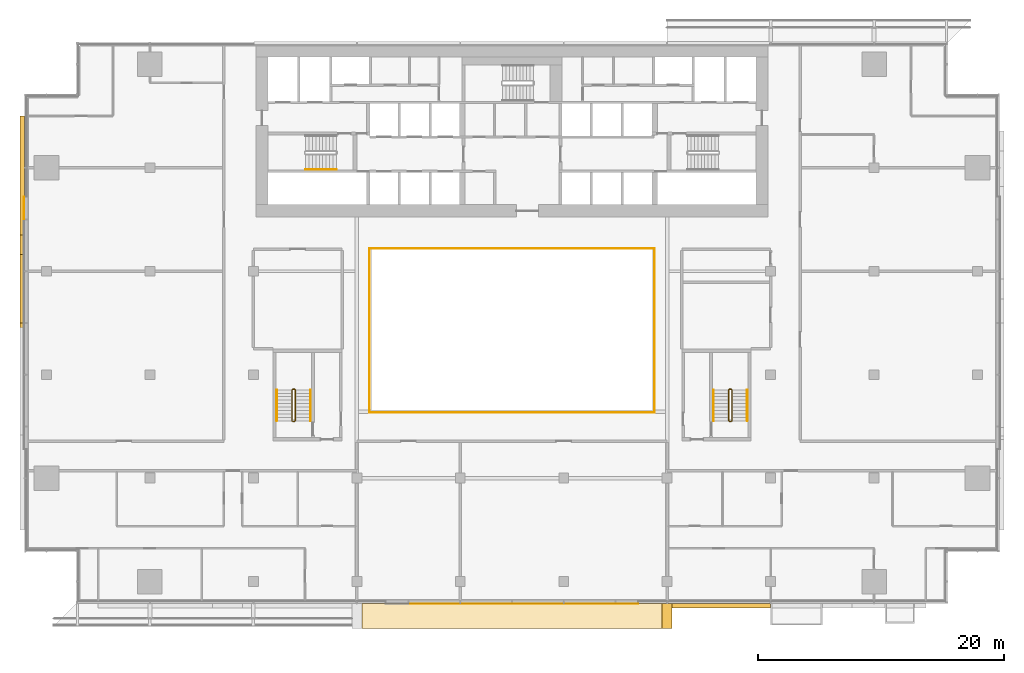
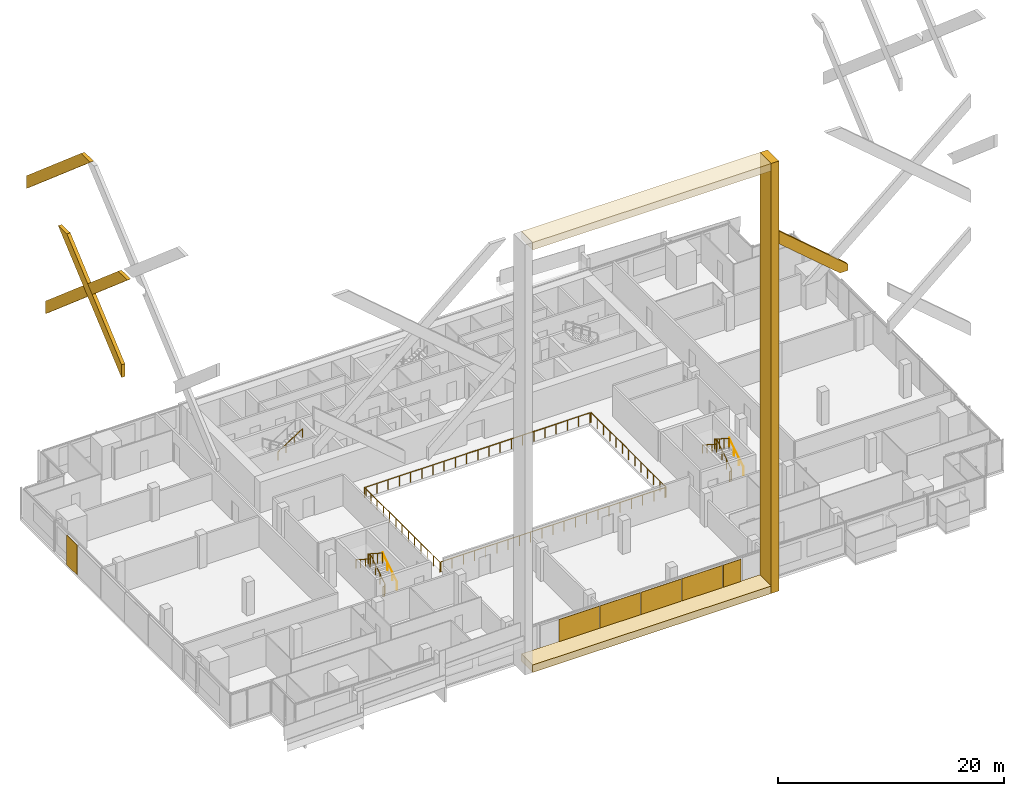
# One storey, part 27 of 30: 13 coverings, 11 railings.
"""IFC4 building model written with IfcOpenShell, lengths in metres."""

from ifc_helpers import new_model, si_unit, direction, frame, origin, origin_2d, place, context, subcontext, project, spatial, polyline, circle, outline, extrude, material, layer, layer_set, type_object, element, save


model = new_model("IFC4")

# Units and contexts
model_context = context("Model", 3, precision=1e-05, world=origin(), true_north=direction((0.0, 1.0)))
body_context = subcontext(model_context, "Body", "Model", "MODEL_VIEW")
ifc_project = project(units=[si_unit("LENGTHUNIT", "METRE"), si_unit("AREAUNIT", "SQUARE_METRE"), si_unit("VOLUMEUNIT", "CUBIC_METRE"), si_unit("PLANEANGLEUNIT", "RADIAN"), si_unit("MASSUNIT", "GRAM", prefix="KILO")], contexts=[model_context])

# Site, building, storey
site_placement = place(None, origin())
site = spatial("IfcSite", under=ifc_project, at=site_placement, CompositionType="ELEMENT")
building_placement = place(site_placement, origin())
building = spatial("IfcBuilding", under=site, at=building_placement, Name="Saffron Gate Tower", CompositionType="ELEMENT")
storey_placement = place(building_placement, frame((0.0, 0.0, 95.25)))
storey = spatial("IfcBuildingStorey", under=building, at=storey_placement, Name="L21", CompositionType="ELEMENT", Elevation=95.25)

# Railings
ifc_material_1 = material(Name="Stainless steel and laminated glass", Category="steel")
railing_type_1 = type_object("IfcRailingType", Name="AG1 Atrium edge guard 1100", PredefinedType="GUARDRAIL", material=ifc_material_1)
railing_1_placement = place(storey_placement, frame((76.02001953125, 45.5400390625, 0.0)))
element("IfcRailing", 1, at=railing_1_placement, inside=storey, type_object=railing_type_1, Name="Guard B1-1", PredefinedType="GUARDRAIL", context=body_context, shape_type="SweptSolid", body=[
    extrude(circle(Radius=0.02392578125, at=origin_2d()), frame((0.0, 0.0, 1.076171875), z_axis=(0.0, 1.0, 0.0), x_axis=(-1.0, 0.0, 0.0)), (0.0, 0.0, 1.0), 13.320068359375),
    extrude(circle(Radius=0.02099609375, at=origin_2d()), origin(), (0.0, 0.0, 1.0), 1.052001953125),
    extrude(circle(Radius=0.02099609375, at=origin_2d()), frame((0.0, 1.110107421875, 0.0)), (0.0, 0.0, 1.0), 1.052001953125),
    extrude(circle(Radius=0.02099609375, at=origin_2d()), frame((0.0, 2.219970703125, 0.0)), (0.0, 0.0, 1.0), 1.052001953125),
    extrude(circle(Radius=0.02099609375, at=origin_2d()), frame((0.0, 3.330078125, 0.0)), (0.0, 0.0, 1.0), 1.052001953125),
    extrude(circle(Radius=0.02099609375, at=origin_2d()), frame((0.0, 4.43994140625, 0.0)), (0.0, 0.0, 1.0), 1.052001953125),
    extrude(circle(Radius=0.02099609375, at=origin_2d()), frame((0.0, 5.550048828125, 0.0)), (0.0, 0.0, 1.0), 1.052001953125),
    extrude(circle(Radius=0.02099609375, at=origin_2d()), frame((0.0, 6.66015625, 0.0)), (0.0, 0.0, 1.0), 1.052001953125),
    extrude(circle(Radius=0.02099609375, at=origin_2d()), frame((0.0, 7.77001953125, 0.0)), (0.0, 0.0, 1.0), 1.052001953125),
    extrude(circle(Radius=0.02099609375, at=origin_2d()), frame((0.0, 8.880126953125, 0.0)), (0.0, 0.0, 1.0), 1.052001953125),
    extrude(circle(Radius=0.02099609375, at=origin_2d()), frame((0.0, 9.989990234375, 0.0)), (0.0, 0.0, 1.0), 1.052001953125),
    extrude(circle(Radius=0.02099609375, at=origin_2d()), frame((0.0, 11.10009765625, 0.0)), (0.0, 0.0, 1.0), 1.052001953125),
    extrude(circle(Radius=0.02099609375, at=origin_2d()), frame((0.0, 12.2099609375, 0.0)), (0.0, 0.0, 1.0), 1.052001953125),
    extrude(circle(Radius=0.02099609375, at=origin_2d()), frame((0.0, 13.320068359375, 0.0)), (0.0, 0.0, 1.0), 1.052001953125),
])
railing_2_placement = place(storey_placement, frame((76.139892578125, 58.860107421875, 0.0)))
element("IfcRailing", 2, at=railing_2_placement, inside=storey, type_object=railing_type_1, Name="Guard B1-2", PredefinedType="GUARDRAIL", context=body_context, shape_type="SweptSolid", body=[
    extrude(circle(Radius=0.02392578125, at=origin_2d()), frame((0.0, 0.0, 1.076171875), z_axis=(1.0, 0.0, 0.0), x_axis=(0.0, 1.0, 0.0)), (0.0, 0.0, 1.0), 22.920166015625),
    extrude(circle(Radius=0.02099609375, at=origin_2d()), origin(), (0.0, 0.0, 1.0), 1.052001953125),
    extrude(circle(Radius=0.02099609375, at=origin_2d()), frame((1.14599609375, 0.0, 0.0)), (0.0, 0.0, 1.0), 1.052001953125),
    extrude(circle(Radius=0.02099609375, at=origin_2d()), frame((2.2919921875, 0.0, 0.0)), (0.0, 0.0, 1.0), 1.052001953125),
    extrude(circle(Radius=0.02099609375, at=origin_2d()), frame((3.43798828125, 0.0, 0.0)), (0.0, 0.0, 1.0), 1.052001953125),
    extrude(circle(Radius=0.02099609375, at=origin_2d()), frame((4.583984375, 0.0, 0.0)), (0.0, 0.0, 1.0), 1.052001953125),
    extrude(circle(Radius=0.02099609375, at=origin_2d()), frame((5.72998046875, 0.0, 0.0)), (0.0, 0.0, 1.0), 1.052001953125),
    extrude(circle(Radius=0.02099609375, at=origin_2d()), frame((6.8759765625, 0.0, 0.0)), (0.0, 0.0, 1.0), 1.052001953125),
    extrude(circle(Radius=0.02099609375, at=origin_2d()), frame((8.02197265625, 0.0, 0.0)), (0.0, 0.0, 1.0), 1.052001953125),
    extrude(circle(Radius=0.02099609375, at=origin_2d()), frame((9.16796875, 0.0, 0.0)), (0.0, 0.0, 1.0), 1.052001953125),
    extrude(circle(Radius=0.02099609375, at=origin_2d()), frame((10.31396484375, 0.0, 0.0)), (0.0, 0.0, 1.0), 1.052001953125),
    extrude(circle(Radius=0.02099609375, at=origin_2d()), frame((11.4599609375, 0.0, 0.0)), (0.0, 0.0, 1.0), 1.052001953125),
    extrude(circle(Radius=0.02099609375, at=origin_2d()), frame((12.606201171875, 0.0, 0.0)), (0.0, 0.0, 1.0), 1.052001953125),
    extrude(circle(Radius=0.02099609375, at=origin_2d()), frame((13.752197265625, 0.0, 0.0)), (0.0, 0.0, 1.0), 1.052001953125),
    extrude(circle(Radius=0.02099609375, at=origin_2d()), frame((14.898193359375, 0.0, 0.0)), (0.0, 0.0, 1.0), 1.052001953125),
    extrude(circle(Radius=0.02099609375, at=origin_2d()), frame((16.044189453125, 0.0, 0.0)), (0.0, 0.0, 1.0), 1.052001953125),
    extrude(circle(Radius=0.02099609375, at=origin_2d()), frame((17.190185546875, 0.0, 0.0)), (0.0, 0.0, 1.0), 1.052001953125),
    extrude(circle(Radius=0.02099609375, at=origin_2d()), frame((18.336181640625, 0.0, 0.0)), (0.0, 0.0, 1.0), 1.052001953125),
    extrude(circle(Radius=0.02099609375, at=origin_2d()), frame((19.482177734375, 0.0, 0.0)), (0.0, 0.0, 1.0), 1.052001953125),
    extrude(circle(Radius=0.02099609375, at=origin_2d()), frame((20.628173828125, 0.0, 0.0)), (0.0, 0.0, 1.0), 1.052001953125),
    extrude(circle(Radius=0.02099609375, at=origin_2d()), frame((21.774169921875, 0.0, 0.0)), (0.0, 0.0, 1.0), 1.052001953125),
    extrude(circle(Radius=0.02099609375, at=origin_2d()), frame((22.920166015625, 0.0, 0.0)), (0.0, 0.0, 1.0), 1.052001953125),
])
railing_3_placement = place(storey_placement, frame((99.179931640625, 58.860107421875, 0.0)))
element("IfcRailing", 3, at=railing_3_placement, inside=storey, type_object=railing_type_1, Name="Guard B1-3", PredefinedType="GUARDRAIL", context=body_context, shape_type="SweptSolid", body=[
    extrude(circle(Radius=0.02392578125, at=origin_2d()), frame((0.0, 0.0, 1.076171875), z_axis=(0.0, -1.0, 0.0), x_axis=(1.0, 0.0, 0.0)), (0.0, 0.0, 1.0), 13.320068359375),
    extrude(circle(Radius=0.02099609375, at=origin_2d()), origin(), (0.0, 0.0, 1.0), 1.052001953125),
    extrude(circle(Radius=0.02099609375, at=origin_2d()), frame((0.0, -1.110107421875, 0.0)), (0.0, 0.0, 1.0), 1.052001953125),
    extrude(circle(Radius=0.02099609375, at=origin_2d()), frame((0.0, -2.219970703125, 0.0)), (0.0, 0.0, 1.0), 1.052001953125),
    extrude(circle(Radius=0.02099609375, at=origin_2d()), frame((0.0, -3.330078125, 0.0)), (0.0, 0.0, 1.0), 1.052001953125),
    extrude(circle(Radius=0.02099609375, at=origin_2d()), frame((0.0, -4.43994140625, 0.0)), (0.0, 0.0, 1.0), 1.052001953125),
    extrude(circle(Radius=0.02099609375, at=origin_2d()), frame((0.0, -5.550048828125, 0.0)), (0.0, 0.0, 1.0), 1.052001953125),
    extrude(circle(Radius=0.02099609375, at=origin_2d()), frame((0.0, -6.66015625, 0.0)), (0.0, 0.0, 1.0), 1.052001953125),
    extrude(circle(Radius=0.02099609375, at=origin_2d()), frame((0.0, -7.77001953125, 0.0)), (0.0, 0.0, 1.0), 1.052001953125),
    extrude(circle(Radius=0.02099609375, at=origin_2d()), frame((0.0, -8.880126953125, 0.0)), (0.0, 0.0, 1.0), 1.052001953125),
    extrude(circle(Radius=0.02099609375, at=origin_2d()), frame((0.0, -9.989990234375, 0.0)), (0.0, 0.0, 1.0), 1.052001953125),
    extrude(circle(Radius=0.02099609375, at=origin_2d()), frame((0.0, -11.10009765625, 0.0)), (0.0, 0.0, 1.0), 1.052001953125),
    extrude(circle(Radius=0.02099609375, at=origin_2d()), frame((0.0, -12.2099609375, 0.0)), (0.0, 0.0, 1.0), 1.052001953125),
    extrude(circle(Radius=0.02099609375, at=origin_2d()), frame((0.0, -13.320068359375, 0.0)), (0.0, 0.0, 1.0), 1.052001953125),
])
railing_4_placement = place(storey_placement, frame((99.06005859375, 45.5400390625, 0.0)))
element("IfcRailing", 4, at=railing_4_placement, inside=storey, type_object=railing_type_1, Name="Guard B1-4", PredefinedType="GUARDRAIL", context=body_context, shape_type="SweptSolid", body=[
    extrude(circle(Radius=0.02392578125, at=origin_2d()), frame((0.0, 0.0, 1.076171875), z_axis=(-1.0, 0.0, 0.0), x_axis=(0.0, -1.0, 0.0)), (0.0, 0.0, 1.0), 22.920166015625),
    extrude(circle(Radius=0.02099609375, at=origin_2d()), origin(), (0.0, 0.0, 1.0), 1.052001953125),
    extrude(circle(Radius=0.02099609375, at=origin_2d()), frame((-1.14599609375, 0.0, 0.0)), (0.0, 0.0, 1.0), 1.052001953125),
    extrude(circle(Radius=0.02099609375, at=origin_2d()), frame((-2.2919921875, 0.0, 0.0)), (0.0, 0.0, 1.0), 1.052001953125),
    extrude(circle(Radius=0.02099609375, at=origin_2d()), frame((-3.43798828125, 0.0, 0.0)), (0.0, 0.0, 1.0), 1.052001953125),
    extrude(circle(Radius=0.02099609375, at=origin_2d()), frame((-4.583984375, 0.0, 0.0)), (0.0, 0.0, 1.0), 1.052001953125),
    extrude(circle(Radius=0.02099609375, at=origin_2d()), frame((-5.72998046875, 0.0, 0.0)), (0.0, 0.0, 1.0), 1.052001953125),
    extrude(circle(Radius=0.02099609375, at=origin_2d()), frame((-6.8759765625, 0.0, 0.0)), (0.0, 0.0, 1.0), 1.052001953125),
    extrude(circle(Radius=0.02099609375, at=origin_2d()), frame((-8.02197265625, 0.0, 0.0)), (0.0, 0.0, 1.0), 1.052001953125),
    extrude(circle(Radius=0.02099609375, at=origin_2d()), frame((-9.16796875, 0.0, 0.0)), (0.0, 0.0, 1.0), 1.052001953125),
    extrude(circle(Radius=0.02099609375, at=origin_2d()), frame((-10.31396484375, 0.0, 0.0)), (0.0, 0.0, 1.0), 1.052001953125),
    extrude(circle(Radius=0.02099609375, at=origin_2d()), frame((-11.4599609375, 0.0, 0.0)), (0.0, 0.0, 1.0), 1.052001953125),
    extrude(circle(Radius=0.02099609375, at=origin_2d()), frame((-12.606201171875, 0.0, 0.0)), (0.0, 0.0, 1.0), 1.052001953125),
    extrude(circle(Radius=0.02099609375, at=origin_2d()), frame((-13.752197265625, 0.0, 0.0)), (0.0, 0.0, 1.0), 1.052001953125),
    extrude(circle(Radius=0.02099609375, at=origin_2d()), frame((-14.898193359375, 0.0, 0.0)), (0.0, 0.0, 1.0), 1.052001953125),
    extrude(circle(Radius=0.02099609375, at=origin_2d()), frame((-16.044189453125, 0.0, 0.0)), (0.0, 0.0, 1.0), 1.052001953125),
    extrude(circle(Radius=0.02099609375, at=origin_2d()), frame((-17.190185546875, 0.0, 0.0)), (0.0, 0.0, 1.0), 1.052001953125),
    extrude(circle(Radius=0.02099609375, at=origin_2d()), frame((-18.336181640625, 0.0, 0.0)), (0.0, 0.0, 1.0), 1.052001953125),
    extrude(circle(Radius=0.02099609375, at=origin_2d()), frame((-19.482177734375, 0.0, 0.0)), (0.0, 0.0, 1.0), 1.052001953125),
    extrude(circle(Radius=0.02099609375, at=origin_2d()), frame((-20.628173828125, 0.0, 0.0)), (0.0, 0.0, 1.0), 1.052001953125),
    extrude(circle(Radius=0.02099609375, at=origin_2d()), frame((-21.774169921875, 0.0, 0.0)), (0.0, 0.0, 1.0), 1.052001953125),
    extrude(circle(Radius=0.02099609375, at=origin_2d()), frame((-22.920166015625, 0.0, 0.0)), (0.0, 0.0, 1.0), 1.052001953125),
])

# Coverings
ifc_material_2 = material(Name="Ceramic-printed bronze insulated panel")
ifc_layer_1 = layer(ifc_material_2, 0.0400390625)
ifc_layer_set_1 = layer_set([ifc_layer_1], Name="CLDA ceramic-printed bay cladding 40")
covering_type_1 = type_object("IfcCoveringType", Name="CLDA ceramic-printed bay cladding 40", PredefinedType="CLADDING", material=ifc_layer_set_1)
covering_1_placement = place(storey_placement, origin())
element("IfcCovering", 5, at=covering_1_placement, inside=storey, type_object=covering_type_1, Name="CLADDING bay panel in front of the arch", PredefinedType="CLADDING", context=body_context, shape_type="SweptSolid", body=[
    extrude(outline(polyline([(79.22998046875, 29.9599609375), (83.3701171875, 29.9599609375), (83.3701171875, 30.0), (79.22998046875, 30.0), (79.22998046875, 29.9599609375)])), origin(), (0.0, 0.0, 1.0), 3.199951171875),
])
covering_2_placement = place(storey_placement, origin())
element("IfcCovering", 6, at=covering_2_placement, inside=storey, type_object=covering_type_1, Name="CLADDING bay panel in front of the arch", PredefinedType="CLADDING", context=body_context, shape_type="SweptSolid", body=[
    extrude(outline(polyline([(83.429931640625, 29.9599609375), (87.570068359375, 29.9599609375), (87.570068359375, 30.0), (83.429931640625, 30.0), (83.429931640625, 29.9599609375)])), origin(), (0.0, 0.0, 1.0), 3.199951171875),
])
covering_3_placement = place(storey_placement, origin())
element("IfcCovering", 7, at=covering_3_placement, inside=storey, type_object=covering_type_1, Name="CLADDING bay panel in front of the arch", PredefinedType="CLADDING", context=body_context, shape_type="SweptSolid", body=[
    extrude(outline(polyline([(87.6298828125, 29.9599609375), (91.77001953125, 29.9599609375), (91.77001953125, 30.0), (87.6298828125, 30.0), (87.6298828125, 29.9599609375)])), origin(), (0.0, 0.0, 1.0), 3.199951171875),
])
covering_4_placement = place(storey_placement, origin())
element("IfcCovering", 8, at=covering_4_placement, inside=storey, type_object=covering_type_1, Name="CLADDING bay panel in front of the arch", PredefinedType="CLADDING", context=body_context, shape_type="SweptSolid", body=[
    extrude(outline(polyline([(91.830078125, 29.9599609375), (95.969970703125, 29.9599609375), (95.969970703125, 30.0), (91.830078125, 30.0), (91.830078125, 29.9599609375)])), origin(), (0.0, 0.0, 1.0), 3.199951171875),
])
covering_5_placement = place(storey_placement, origin())
element("IfcCovering", 9, at=covering_5_placement, inside=storey, type_object=covering_type_1, Name="CLADDING bay panel in front of the arch", PredefinedType="CLADDING", context=body_context, shape_type="SweptSolid", body=[
    extrude(outline(polyline([(96.030029296875, 29.9599609375), (97.84912109375, 29.9599609375), (97.84912109375, 30.0), (96.030029296875, 30.0), (96.030029296875, 29.9599609375)])), origin(), (0.0, 0.0, 1.0), 3.199951171875),
])
covering_6_placement = place(storey_placement, origin())
element("IfcCovering", 10, at=covering_6_placement, inside=storey, type_object=covering_type_1, Name="CLADDING bay panel in front of the arch", PredefinedType="CLADDING", context=body_context, shape_type="SweptSolid", body=[
    extrude(outline(polyline([(47.9599609375, 63.04931640625), (47.9599609375, 61.22998046875), (48.0, 61.22998046875), (48.0, 63.04931640625), (47.9599609375, 63.04931640625)])), origin(), (0.0, 0.0, 1.0), 3.199951171875),
])

# Railings
railing_type_2 = type_object("IfcRailingType", Name="CR1 Stair guard 1100", PredefinedType="GUARDRAIL", material=ifc_material_1)
railing_5_placement = place(storey_placement, frame((69.800048828125, 44.800048828125, 0.0)))
element("IfcRailing", 11, at=railing_5_placement, inside=storey, type_object=railing_type_2, Name="L21 ST-D stair guard 1", PredefinedType="GUARDRAIL", context=body_context, shape_type="SweptSolid", body=[
    extrude(circle(Radius=0.02392578125, at=origin_2d()), frame((0.0, 0.0, 1.076171875), z_axis=(1.0, 0.0, 0.0), x_axis=(0.0, 1.0, 0.0)), (0.0, 0.0, 1.0), 0.14990234375),
    extrude(circle(Radius=0.02392578125, at=origin_2d()), frame((0.14990234375, 0.0, 1.076171875), z_axis=(0.258847668887, 0.258847668887, 0.930588936439), x_axis=(-0.707106781187, 0.707106781187, 0.0)), (0.0, 0.0, 1.0), 0.193359375),
    extrude(circle(Radius=0.02392578125, at=origin_2d()), frame((0.199951171875, 0.050048828125, 1.255859375), z_axis=(0.0, 0.841162588446, 0.540782303519), x_axis=(-1.0, 0.0, 0.0)), (0.0, 0.0, 1.0), 2.995849609375),
    extrude(circle(Radius=0.02392578125, at=origin_2d()), frame((0.199951171875, 2.570068359375, 2.8759765625), z_axis=(-0.708833529934, 0.705375805398, 0.0), x_axis=(-0.705375805398, -0.708833529934, 0.0)), (0.0, 0.0, 1.0), 0.070556640625),
    extrude(circle(Radius=0.02392578125, at=origin_2d()), frame((0.14990234375, 2.619873046875, 2.8759765625), z_axis=(-1.0, 0.0, 0.0), x_axis=(0.0, -1.0, 0.0)), (0.0, 0.0, 1.0), 0.14990234375),
    extrude(circle(Radius=0.02392578125, at=origin_2d()), frame((0.0, 2.619873046875, 2.8759765625), z_axis=(-0.258932105505, -0.257669022063, 0.930892496375), x_axis=(0.705375805398, -0.708833529934, 0.0)), (0.0, 0.0, 1.0), 0.193359375),
    extrude(circle(Radius=0.02392578125, at=origin_2d()), frame((-0.050048828125, 2.570068359375, 3.05615234375), z_axis=(0.0, -0.841162588446, 0.540782303519), x_axis=(1.0, 0.0, 0.0)), (0.0, 0.0, 1.0), 2.995849609375),
    extrude(circle(Radius=0.02099609375, at=origin_2d()), origin(), (0.0, 0.0, 1.0), 1.052001953125),
    extrude(circle(Radius=0.02099609375, at=origin_2d()), frame((0.14990234375, 0.0, 0.0)), (0.0, 0.0, 1.0), 1.052001953125),
    extrude(circle(Radius=0.02099609375, at=origin_2d()), frame((0.199951171875, 0.050048828125, 0.179931640625)), (0.0, 0.0, 1.0), 1.052001953125),
    extrude(circle(Radius=0.02099609375, at=origin_2d()), frame((0.199951171875, 0.89013671875, 0.719970703125)), (0.0, 0.0, 1.0), 1.052001953125),
    extrude(circle(Radius=0.02099609375, at=origin_2d()), frame((0.199951171875, 1.72998046875, 1.260009765625)), (0.0, 0.0, 1.0), 1.052001953125),
    extrude(circle(Radius=0.02099609375, at=origin_2d()), frame((0.199951171875, 2.570068359375, 1.800048828125)), (0.0, 0.0, 1.0), 1.052001953125),
    extrude(circle(Radius=0.02099609375, at=origin_2d()), frame((0.14990234375, 2.619873046875, 1.800048828125)), (0.0, 0.0, 1.0), 1.052001953125),
    extrude(circle(Radius=0.02099609375, at=origin_2d()), frame((0.0, 2.619873046875, 1.800048828125)), (0.0, 0.0, 1.0), 1.052001953125),
    extrude(circle(Radius=0.02099609375, at=origin_2d()), frame((-0.050048828125, 2.570068359375, 1.97998046875)), (0.0, 0.0, 1.0), 1.052001953125),
    extrude(circle(Radius=0.02099609375, at=origin_2d()), frame((-0.050048828125, 1.72998046875, 2.52001953125)), (0.0, 0.0, 1.0), 1.052001953125),
    extrude(circle(Radius=0.02099609375, at=origin_2d()), frame((-0.050048828125, 0.89013671875, 3.06005859375)), (0.0, 0.0, 1.0), 1.052001953125),
    extrude(circle(Radius=0.02099609375, at=origin_2d()), frame((-0.050048828125, 0.050048828125, 3.60009765625)), (0.0, 0.0, 1.0), 1.052001953125),
])
railing_6_placement = place(storey_placement, frame((105.25, 44.800048828125, 0.0)))
element("IfcRailing", 12, at=railing_6_placement, inside=storey, type_object=railing_type_2, Name="L21 ST-E stair guard 1", PredefinedType="GUARDRAIL", context=body_context, shape_type="SweptSolid", body=[
    extrude(circle(Radius=0.02392578125, at=origin_2d()), frame((0.0, 0.0, 1.076171875), z_axis=(1.0, 0.0, 0.0), x_axis=(0.0, 1.0, 0.0)), (0.0, 0.0, 1.0), 0.14990234375),
    extrude(circle(Radius=0.02392578125, at=origin_2d()), frame((0.14990234375, 0.0, 1.076171875), z_axis=(0.258847668887, 0.258847668887, 0.930588936439), x_axis=(-0.707106781187, 0.707106781187, 0.0)), (0.0, 0.0, 1.0), 0.193359375),
    extrude(circle(Radius=0.02392578125, at=origin_2d()), frame((0.199951171875, 0.050048828125, 1.255859375), z_axis=(0.0, 0.841162588446, 0.540782303519), x_axis=(-1.0, 0.0, 0.0)), (0.0, 0.0, 1.0), 2.995849609375),
    extrude(circle(Radius=0.02392578125, at=origin_2d()), frame((0.199951171875, 2.570068359375, 2.8759765625), z_axis=(-0.708833529934, 0.705375805398, 0.0), x_axis=(-0.705375805398, -0.708833529934, 0.0)), (0.0, 0.0, 1.0), 0.070556640625),
    extrude(circle(Radius=0.02392578125, at=origin_2d()), frame((0.14990234375, 2.619873046875, 2.8759765625), z_axis=(-1.0, 0.0, 0.0), x_axis=(0.0, -1.0, 0.0)), (0.0, 0.0, 1.0), 0.14990234375),
    extrude(circle(Radius=0.02392578125, at=origin_2d()), frame((0.0, 2.619873046875, 2.8759765625), z_axis=(-0.258932105505, -0.257669022063, 0.930892496375), x_axis=(0.705375805398, -0.708833529934, 0.0)), (0.0, 0.0, 1.0), 0.193359375),
    extrude(circle(Radius=0.02392578125, at=origin_2d()), frame((-0.050048828125, 2.570068359375, 3.05615234375), z_axis=(0.0, -0.841162588446, 0.540782303519), x_axis=(1.0, 0.0, 0.0)), (0.0, 0.0, 1.0), 2.995849609375),
    extrude(circle(Radius=0.02099609375, at=origin_2d()), origin(), (0.0, 0.0, 1.0), 1.052001953125),
    extrude(circle(Radius=0.02099609375, at=origin_2d()), frame((0.14990234375, 0.0, 0.0)), (0.0, 0.0, 1.0), 1.052001953125),
    extrude(circle(Radius=0.02099609375, at=origin_2d()), frame((0.199951171875, 0.050048828125, 0.179931640625)), (0.0, 0.0, 1.0), 1.052001953125),
    extrude(circle(Radius=0.02099609375, at=origin_2d()), frame((0.199951171875, 0.89013671875, 0.719970703125)), (0.0, 0.0, 1.0), 1.052001953125),
    extrude(circle(Radius=0.02099609375, at=origin_2d()), frame((0.199951171875, 1.72998046875, 1.260009765625)), (0.0, 0.0, 1.0), 1.052001953125),
    extrude(circle(Radius=0.02099609375, at=origin_2d()), frame((0.199951171875, 2.570068359375, 1.800048828125)), (0.0, 0.0, 1.0), 1.052001953125),
    extrude(circle(Radius=0.02099609375, at=origin_2d()), frame((0.14990234375, 2.619873046875, 1.800048828125)), (0.0, 0.0, 1.0), 1.052001953125),
    extrude(circle(Radius=0.02099609375, at=origin_2d()), frame((0.0, 2.619873046875, 1.800048828125)), (0.0, 0.0, 1.0), 1.052001953125),
    extrude(circle(Radius=0.02099609375, at=origin_2d()), frame((-0.050048828125, 2.570068359375, 1.97998046875)), (0.0, 0.0, 1.0), 1.052001953125),
    extrude(circle(Radius=0.02099609375, at=origin_2d()), frame((-0.050048828125, 1.72998046875, 2.52001953125)), (0.0, 0.0, 1.0), 1.052001953125),
    extrude(circle(Radius=0.02099609375, at=origin_2d()), frame((-0.050048828125, 0.89013671875, 3.06005859375)), (0.0, 0.0, 1.0), 1.052001953125),
    extrude(circle(Radius=0.02099609375, at=origin_2d()), frame((-0.050048828125, 0.050048828125, 3.60009765625)), (0.0, 0.0, 1.0), 1.052001953125),
])
ifc_material_3 = material(Name="Stainless steel", Category="steel")
railing_type_3 = type_object("IfcRailingType", Name="CR2 Stair handrail 900", PredefinedType="HANDRAIL", material=ifc_material_3)
railing_7_placement = place(storey_placement, frame((70.830078125, 65.25, 1.97998046875)))
element("IfcRailing", 13, at=railing_7_placement, inside=storey, type_object=railing_type_3, Name="L21 ST-A stair handrail 2", PredefinedType="HANDRAIL", context=body_context, shape_type="SweptSolid", body=[
    extrude(circle(Radius=0.02392578125, at=origin_2d()), frame((0.0, 0.0, 0.8759765625), z_axis=(0.841162588446, 0.0, 0.540782303519), x_axis=(0.0, 1.0, 0.0)), (0.0, 0.0, 1.0), 2.995849609375),
    extrude(circle(Radius=0.02099609375, at=origin_2d()), origin(), (0.0, 0.0, 1.0), 0.851806640625),
    extrude(circle(Radius=0.02099609375, at=origin_2d()), frame((0.840087890625, 0.0, 0.5400390625)), (0.0, 0.0, 1.0), 0.851806640625),
    extrude(circle(Radius=0.02099609375, at=origin_2d()), frame((1.679931640625, 0.0, 1.080078125)), (0.0, 0.0, 1.0), 0.851806640625),
    extrude(circle(Radius=0.02099609375, at=origin_2d()), frame((2.52001953125, 0.0, 1.6201171875)), (0.0, 0.0, 1.0), 0.851806640625),
])
railing_8_placement = place(storey_placement, frame((71.25, 44.85009765625, 0.179931640625)))
element("IfcRailing", 14, at=railing_8_placement, inside=storey, type_object=railing_type_3, Name="L21 ST-D stair handrail 1", PredefinedType="HANDRAIL", context=body_context, shape_type="SweptSolid", body=[
    extrude(circle(Radius=0.02392578125, at=origin_2d()), frame((0.0, 0.0, 0.8759765625), z_axis=(0.0, 0.841162588446, 0.540782303519), x_axis=(-1.0, 0.0, 0.0)), (0.0, 0.0, 1.0), 2.995849609375),
    extrude(circle(Radius=0.02099609375, at=origin_2d()), origin(), (0.0, 0.0, 1.0), 0.851806640625),
    extrude(circle(Radius=0.02099609375, at=origin_2d()), frame((0.0, 0.840087890625, 0.5400390625)), (0.0, 0.0, 1.0), 0.851806640625),
    extrude(circle(Radius=0.02099609375, at=origin_2d()), frame((0.0, 1.679931640625, 1.080078125)), (0.0, 0.0, 1.0), 0.851806640625),
    extrude(circle(Radius=0.02099609375, at=origin_2d()), frame((0.0, 2.52001953125, 1.6201171875)), (0.0, 0.0, 1.0), 0.851806640625),
])
railing_9_placement = place(storey_placement, frame((68.5, 47.3701171875, 1.97998046875)))
element("IfcRailing", 15, at=railing_9_placement, inside=storey, type_object=railing_type_3, Name="L21 ST-D stair handrail 2", PredefinedType="HANDRAIL", context=body_context, shape_type="SweptSolid", body=[
    extrude(circle(Radius=0.02392578125, at=origin_2d()), frame((0.0, 0.0, 0.8759765625), z_axis=(0.0, -0.841162588446, 0.540782303519), x_axis=(1.0, 0.0, 0.0)), (0.0, 0.0, 1.0), 2.995849609375),
    extrude(circle(Radius=0.02099609375, at=origin_2d()), origin(), (0.0, 0.0, 1.0), 0.851806640625),
    extrude(circle(Radius=0.02099609375, at=origin_2d()), frame((0.0, -0.840087890625, 0.5400390625)), (0.0, 0.0, 1.0), 0.851806640625),
    extrude(circle(Radius=0.02099609375, at=origin_2d()), frame((0.0, -1.679931640625, 1.080078125)), (0.0, 0.0, 1.0), 0.851806640625),
    extrude(circle(Radius=0.02099609375, at=origin_2d()), frame((0.0, -2.52001953125, 1.6201171875)), (0.0, 0.0, 1.0), 0.851806640625),
])
railing_10_placement = place(storey_placement, frame((106.699951171875, 44.85009765625, 0.179931640625)))
element("IfcRailing", 16, at=railing_10_placement, inside=storey, type_object=railing_type_3, Name="L21 ST-E stair handrail 1", PredefinedType="HANDRAIL", context=body_context, shape_type="SweptSolid", body=[
    extrude(circle(Radius=0.02392578125, at=origin_2d()), frame((0.0, 0.0, 0.8759765625), z_axis=(0.0, 0.841162588446, 0.540782303519), x_axis=(-1.0, 0.0, 0.0)), (0.0, 0.0, 1.0), 2.995849609375),
    extrude(circle(Radius=0.02099609375, at=origin_2d()), origin(), (0.0, 0.0, 1.0), 0.851806640625),
    extrude(circle(Radius=0.02099609375, at=origin_2d()), frame((0.0, 0.840087890625, 0.5400390625)), (0.0, 0.0, 1.0), 0.851806640625),
    extrude(circle(Radius=0.02099609375, at=origin_2d()), frame((0.0, 1.679931640625, 1.080078125)), (0.0, 0.0, 1.0), 0.851806640625),
    extrude(circle(Radius=0.02099609375, at=origin_2d()), frame((0.0, 2.52001953125, 1.6201171875)), (0.0, 0.0, 1.0), 0.851806640625),
])
railing_11_placement = place(storey_placement, frame((103.949951171875, 47.3701171875, 1.97998046875)))
element("IfcRailing", 17, at=railing_11_placement, inside=storey, type_object=railing_type_3, Name="L21 ST-E stair handrail 2", PredefinedType="HANDRAIL", context=body_context, shape_type="SweptSolid", body=[
    extrude(circle(Radius=0.02392578125, at=origin_2d()), frame((0.0, 0.0, 0.8759765625), z_axis=(0.0, -0.841162588446, 0.540782303519), x_axis=(1.0, 0.0, 0.0)), (0.0, 0.0, 1.0), 2.995849609375),
    extrude(circle(Radius=0.02099609375, at=origin_2d()), origin(), (0.0, 0.0, 1.0), 0.851806640625),
    extrude(circle(Radius=0.02099609375, at=origin_2d()), frame((0.0, -0.840087890625, 0.5400390625)), (0.0, 0.0, 1.0), 0.851806640625),
    extrude(circle(Radius=0.02099609375, at=origin_2d()), frame((0.0, -1.679931640625, 1.080078125)), (0.0, 0.0, 1.0), 0.851806640625),
    extrude(circle(Radius=0.02099609375, at=origin_2d()), frame((0.0, -2.52001953125, 1.6201171875)), (0.0, 0.0, 1.0), 0.851806640625),
])

# Coverings
ifc_layer_2 = layer(ifc_material_2, 0.800048828125)
ifc_layer_set_2 = layer_set([ifc_layer_2], Name="FN1 atrium fin")
covering_type_2 = type_object("IfcCoveringType", Name="FN1 atrium fin", PredefinedType="CLADDING", material=ifc_layer_set_2)
covering_7_placement = place(storey_placement, origin())
element("IfcCovering", 18, at=covering_7_placement, inside=storey, type_object=covering_type_2, Name="CLADDING atrium fin", PredefinedType="CLADDING", context=body_context, shape_type="SweptSolid", body=[
    extrude(outline(polyline([(99.800048828125, 30.0), (100.60009765625, 30.0), (100.60009765625, 28.0), (99.800048828125, 28.0), (99.800048828125, 30.0)])), origin(), (0.0, 0.0, 1.0), 46.5),
])
for number, where, name in (
    (19, (0.0, 0.0, 0.0), "CLADDING atrium lintel fin"),
    (20, (0.0, 0.0, 45.699951171875), "CLADDING atrium lintel fin"),
):
    element("IfcCovering", number, at=place(storey_placement, frame(where)), inside=storey, type_object=covering_type_2, Name=name, PredefinedType="CLADDING", context=body_context, shape_type="SweptSolid", body=[
        extrude(outline(polyline([(75.39990234375, 30.0), (99.800048828125, 30.0), (99.800048828125, 28.0), (75.39990234375, 28.0), (75.39990234375, 30.0)])), origin(), (0.0, 0.0, 1.0), 0.800048828125),
    ])
ifc_layer_3 = layer(ifc_material_2, 0.35009765625)
ifc_layer_set_3 = layer_set([ifc_layer_3], Name="LZ1 lozenge lattice bar 1600")
covering_type_3 = type_object("IfcCoveringType", Name="LZ1 lozenge lattice bar 1600", PredefinedType="CLADDING", material=ifc_layer_set_3)
covering_8_placement = place(storey_placement, frame((107.8115234375, 29.64990234375, 30.847412109375), z_axis=(0.0, -1.0, 0.0), x_axis=(0.999585751511, 0.0, 0.028780642381)))
element("IfcCovering", 21, at=covering_8_placement, inside=storey, type_object=covering_type_3, Name="CLADDING lozenge lattice bar", PredefinedType="CLADDING", context=body_context, shape_type="SweptSolid", body=[
    extrude(outline(polyline([(0.0, 0.0), (0.7889010198052955, 0.0), (0.7987803125757169, 0.34311952310173255), (0.8082661200010859, 0.6725728347570235), (-7.381181396548569, 8.111303049653953), (-7.420656408486142, 6.7402891941877145), (0.0, 0.0)])), origin(), (0.0, 0.0, -1.0), 0.35009765625),
])
covering_9_placement = place(storey_placement, frame((47.64990234375, 69.60009765625, 36.857177734375), z_axis=(-1.0, 0.0, 0.0), x_axis=(0.0, -0.759257765443, 0.65079001653)))
element("IfcCovering", 22, at=covering_9_placement, inside=storey, type_object=covering_type_3, Name="CLADDING lozenge lattice bar", PredefinedType="CLADDING", context=body_context, shape_type="SweptSolid", body=[
    extrude(outline(polyline([(0.0, 0.0), (14.817102322871136, -8.881784197001252e-16), (13.602401117561943, 1.041168695878846), (0.8924530085077806, 1.0411989425029375), (0.0, 0.0)])), origin(), (0.0, 0.0, -1.0), 0.35009765625),
])
covering_10_placement = place(storey_placement, frame((47.64990234375, 66.300048828125, 26.6572265625), z_axis=(-1.0, 0.0, 0.0), x_axis=(0.0, 0.0, -1.0)))
element("IfcCovering", 23, at=covering_10_placement, inside=storey, type_object=covering_type_3, Name="CLADDING lozenge lattice bar", PredefinedType="CLADDING", context=body_context, shape_type="SweptSolid", body=[
    extrude(outline(polyline([(0.0, 0.0), (1.37158203125, 0.0), (-11.094482421875, 14.5439453125), (-11.046875, 12.88818359375), (0.0, 0.0)])), origin(), (0.0, 0.0, -1.0), 0.35009765625),
])
covering_11_placement = place(storey_placement, frame((47.64990234375, 52.800048828125, 26.571533203125), z_axis=(-1.0, 0.0, 0.0), x_axis=(0.0, 0.0, 1.0)))
element("IfcCovering", 24, at=covering_11_placement, inside=storey, type_object=covering_type_3, Name="CLADDING lozenge lattice bar", PredefinedType="CLADDING", context=body_context, shape_type="SweptSolid", body=[
    extrude(outline(polyline([(0.0, 0.0), (1.371337890625, 0.0), (9.6708984375, 9.682861328125), (9.62646484375, 11.230712890625), (0.0, 0.0)])), origin(), (0.0, 0.0, -1.0), 0.35009765625),
])

save(model, "model.ifc")
